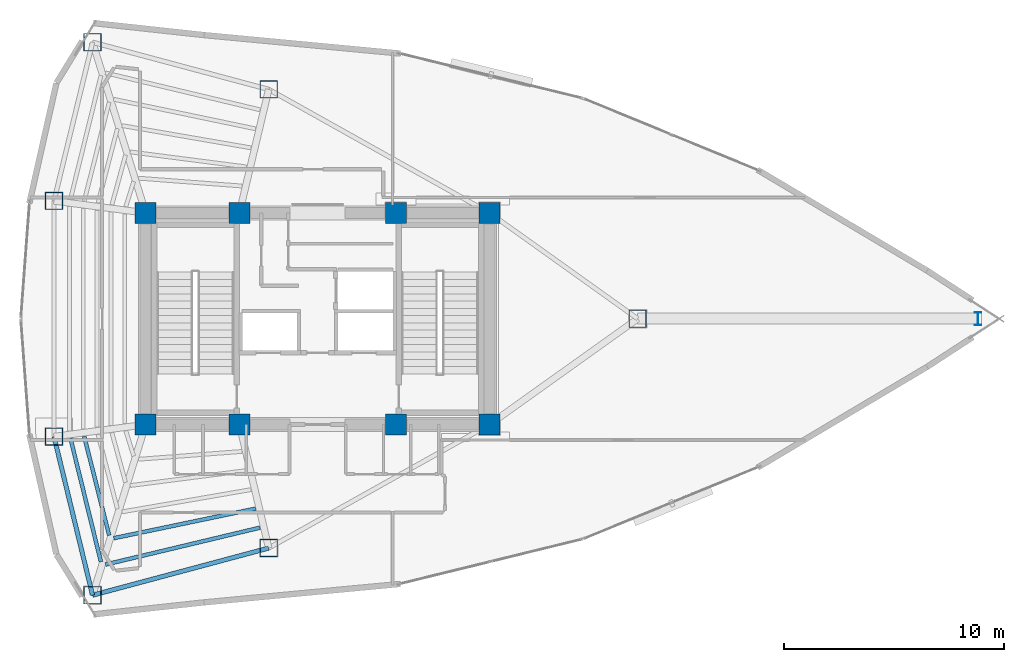
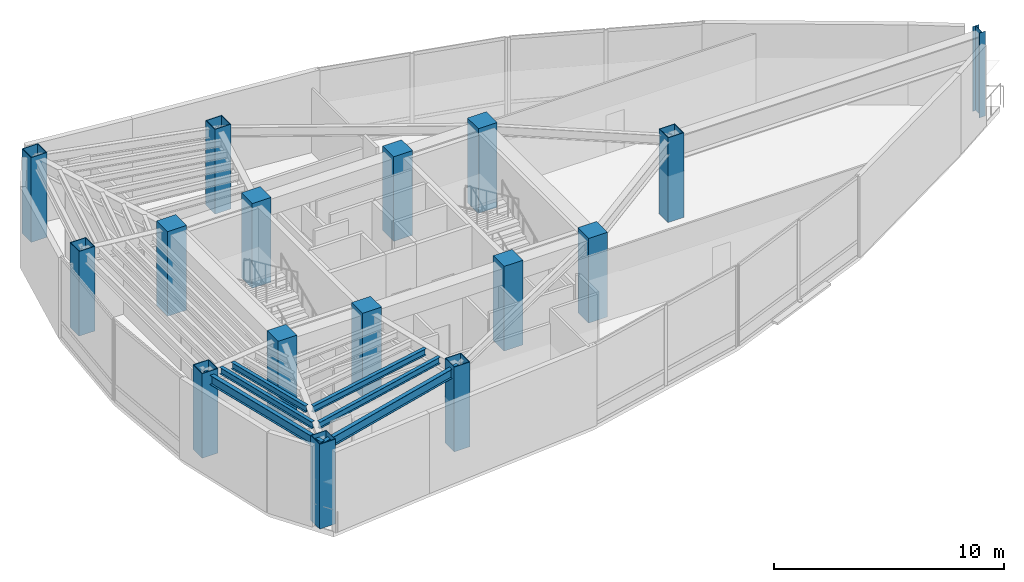
# One storey, part 1 of 17: 16 columns, 6 beams.
"""IFC4 building model written with IfcOpenShell, lengths in metres."""

from ifc_helpers import new_model, si_unit, direction, frame, origin, origin_2d, place, context, subcontext, project, spatial, rectangle, hollow_rectangle, i_section, extrude, material, material_profile, profile_set, type_object, element, save


model = new_model("IFC4")

# Units and contexts
model_context = context("Model", 3, precision=1e-05, world=origin(), true_north=direction((0.0, 1.0)))
body_context = subcontext(model_context, "Body", "Model", "MODEL_VIEW")
ifc_project = project(units=[si_unit("LENGTHUNIT", "METRE"), si_unit("AREAUNIT", "SQUARE_METRE"), si_unit("VOLUMEUNIT", "CUBIC_METRE"), si_unit("PLANEANGLEUNIT", "RADIAN"), si_unit("MASSUNIT", "GRAM", prefix="KILO")], contexts=[model_context])

# Site, building, storey
site_placement = place(None, origin())
site = spatial("IfcSite", under=ifc_project, at=site_placement, CompositionType="ELEMENT")
building_placement = place(site_placement, origin())
building = spatial("IfcBuilding", under=site, at=building_placement, Name="Menara Vayukalpa", CompositionType="ELEMENT")
storey_placement = place(building_placement, frame((0.0, 0.0, 242.639892578125)))
storey = spatial("IfcBuildingStorey", under=building, at=storey_placement, Name="L61", CompositionType="ELEMENT", Elevation=242.639892578125)

# Columns
ifc_material_1 = material(Name="Concrete C60/75", Category="concrete")
ifc_material_profile_1 = material_profile(ifc_material_1, rectangle(XDim=0.949951171875, YDim=0.949951171875, at=origin_2d()), Name="RC 950x950")
ifc_profile_set_1 = profile_set([ifc_material_profile_1], Name="Concrete C60/75")
column_type_1 = type_object("IfcColumnType", Name="COL-CC2", PredefinedType="COLUMN", material=ifc_profile_set_1)
for number, where, z_axis, x_axis, name in (
    (1, (17.800048828125, 17.199951171875, 0.0), (0.0, 0.0, 1.0), (1.0, 0.0, 0.0), "L61 Core Pilaster Column CC1"),
    (2, (22.050048828125, 17.199951171875, 0.0), (0.0, 0.0, 1.0), (1.0, 0.0, 0.0), "L61 Core Pilaster Column CC2"),
    (3, (29.14990234375, 17.199951171875, 0.0), (0.0, 0.0, 1.0), (1.0, 0.0, 0.0), "L61 Core Pilaster Column CC3"),
    (4, (33.39990234375, 17.199951171875, 0.0), (0.0, 0.0, 1.0), (1.0, 0.0, 0.0), "L61 Core Pilaster Column CC4"),
    (5, (17.800048828125, 26.800048828125, 0.0), (0.0, 0.0, 1.0), (1.0, 0.0, 0.0), "L61 Core Pilaster Column CC5"),
    (6, (22.050048828125, 26.800048828125, 0.0), (0.0, 0.0, 1.0), (1.0, 0.0, 0.0), "L61 Core Pilaster Column CC6"),
    (7, (29.14990234375, 26.800048828125, 0.0), (0.0, 0.0, 1.0), (1.0, 0.0, 0.0), "L61 Core Pilaster Column CC7"),
    (8, (33.39990234375, 26.800048828125, 0.0), (0.0, 0.0, 1.0), (1.0, 0.0, 0.0), "L61 Core Pilaster Column CC8"),
):
    element("IfcColumn", number, at=place(storey_placement, frame(where, z_axis=z_axis, x_axis=x_axis)), inside=storey, type_object=column_type_1, Name=name, PredefinedType="COLUMN", context=body_context, shape_type="SweptSolid", body=[
        extrude(rectangle(XDim=0.949951171875, YDim=0.949951171875, at=origin_2d()), origin(), (0.0, 0.0, 1.0), 4.5),
    ])
ifc_material_2 = material(Name="Steel S355", Category="steel")
ifc_material_profile_2 = material_profile(ifc_material_2, hollow_rectangle(XDim=0.800048828125, YDim=0.800048828125, WallThickness=0.034912109375, at=origin_2d()), Name="BOX 800x800x35")
ifc_profile_set_2 = profile_set([ifc_material_profile_2], Name="Steel S355")
column_type_2 = type_object("IfcColumnType", Name="COL-MC5", PredefinedType="COLUMN", material=ifc_profile_set_2)
for number, where, z_axis, x_axis, name in (
    (9, (40.121826171875, 22.0, 0.0), (0.0, 0.0, 1.0), (1.0, 0.0, 0.0), "L61 Perimeter Mega Column P01"),
    (10, (23.3818359375, 32.40478515625, 0.0), (0.0, 0.0, 1.0), (1.0, 0.0, 0.0), "L61 Perimeter Mega Column P03"),
    (11, (15.38916015625, 34.544677734375, 0.0), (0.0, 0.0, 1.0), (1.0, 0.0, 0.0), "L61 Perimeter Mega Column P04"),
    (12, (13.638916015625, 27.3466796875, 0.0), (0.0, 0.0, 1.0), (1.0, 0.0, 0.0), "L61 Perimeter Mega Column P05"),
    (13, (13.638916015625, 16.6533203125, 0.0), (0.0, 0.0, 1.0), (1.0, 0.0, 0.0), "L61 Perimeter Mega Column P06"),
    (14, (15.38916015625, 9.455322265625, 0.0), (0.0, 0.0, 1.0), (1.0, 0.0, 0.0), "L61 Perimeter Mega Column P07"),
    (15, (23.3818359375, 11.59521484375, 0.0), (0.0, 0.0, 1.0), (1.0, 0.0, 0.0), "L61 Perimeter Mega Column P08"),
):
    element("IfcColumn", number, at=place(storey_placement, frame(where, z_axis=z_axis, x_axis=x_axis)), inside=storey, type_object=column_type_2, Name=name, PredefinedType="COLUMN", context=body_context, shape_type="SweptSolid", body=[
        extrude(hollow_rectangle(XDim=0.800048828125, YDim=0.800048828125, WallThickness=0.034912109375, at=origin_2d()), origin(), (0.0, 0.0, 1.0), 4.5),
    ])
ifc_material_3 = material(Name="Steel S460", Category="steel")
ifc_material_profile_3 = material_profile(ifc_material_3, i_section(OverallWidth=0.300048828125, OverallDepth=0.587890625, WebThickness=0.011962890625, FlangeThickness=0.02001953125, at=origin_2d()), Name="H 588x300x12x20")
ifc_profile_set_3 = profile_set([ifc_material_profile_3], Name="Steel S460")
column_type_3 = type_object("IfcColumnType", Name="COL-SC1", PredefinedType="COLUMN", material=ifc_profile_set_3)
column_placement = place(storey_placement, frame((55.564697265625, 22.0, 0.0), z_axis=(0.0, 0.0, 1.0), x_axis=(1.0, 0.0, 0.0)))
element("IfcColumn", 16, at=column_placement, inside=storey, type_object=column_type_3, Name="L61 SB5 Sky Bar Vierendeel Column SB01", PredefinedType="COLUMN", context=body_context, shape_type="SweptSolid", body=[
    extrude(i_section(OverallWidth=0.300048828125, OverallDepth=0.587890625, WebThickness=0.011962890625, FlangeThickness=0.02001953125, at=origin_2d()), origin(), (0.0, 0.0, 1.0), 4.5),
])

# Beams
ifc_material_4 = material(Name="Steel S355", Category="steel")
ifc_material_profile_4 = material_profile(ifc_material_4, i_section(OverallWidth=0.175048828125, OverallDepth=0.35009765625, WebThickness=0.007080078125, FlangeThickness=0.010986328125, at=origin_2d()), Name="WF 350x175x7x11")
ifc_profile_set_4 = profile_set([ifc_material_profile_4], Name="Steel S355")
beam_type_1 = type_object("IfcBeamType", Name="BM-SJ3", PredefinedType="JOIST", material=ifc_profile_set_4)
beam_1_placement = place(storey_placement, frame((15.010986328125, 16.6630859375, 4.105224609375), z_axis=(0.244247063973, -0.969713035769, 0.0), x_axis=(0.969713035769, 0.244247063973, 0.0)))
element("IfcBeam", 17, at=beam_1_placement, inside=storey, type_object=beam_type_1, Name="L61 Secondary Floor Joist SJ06-4", PredefinedType="JOIST", context=body_context, shape_type="SweptSolid", body=[
    extrude(i_section(OverallWidth=0.175048828125, OverallDepth=0.35009765625, WebThickness=0.007080078125, FlangeThickness=0.010986328125, at=origin_2d()), origin(), (0.0, 0.0, 1.0), 4.630859375),
])
beam_2_placement = place(storey_placement, frame((14.384033203125, 16.580810546875, 4.105224609375), z_axis=(0.239671161383, -0.970854126222, 0.0), x_axis=(0.970854126222, 0.239671161383, 0.0)))
element("IfcBeam", 18, at=beam_2_placement, inside=storey, type_object=beam_type_1, Name="L61 Secondary Floor Joist SJ06-5", PredefinedType="JOIST", context=body_context, shape_type="SweptSolid", body=[
    extrude(i_section(OverallWidth=0.175048828125, OverallDepth=0.35009765625, WebThickness=0.007080078125, FlangeThickness=0.010986328125, at=origin_2d()), origin(), (0.0, 0.0, 1.0), 5.77783203125),
])
beam_3_placement = place(storey_placement, frame((16.35009765625, 12.0419921875, 4.105224609375), z_axis=(0.978941451827, 0.204141210671, 0.0), x_axis=(-0.204141210671, 0.978941451827, 0.0)))
element("IfcBeam", 19, at=beam_3_placement, inside=storey, type_object=beam_type_1, Name="L61 Secondary Floor Joist SJ07-4", PredefinedType="JOIST", context=body_context, shape_type="SweptSolid", body=[
    extrude(i_section(OverallWidth=0.175048828125, OverallDepth=0.35009765625, WebThickness=0.007080078125, FlangeThickness=0.010986328125, at=origin_2d()), origin(), (0.0, 0.0, 1.0), 6.570556640625),
])
beam_4_placement = place(storey_placement, frame((15.97509765625, 10.845947265625, 4.105224609375), z_axis=(0.972642465748, 0.232307197097, 0.0), x_axis=(-0.232307197097, 0.972642465748, 0.0)))
element("IfcBeam", 20, at=beam_4_placement, inside=storey, type_object=beam_type_1, Name="L61 Secondary Floor Joist SJ07-5", PredefinedType="JOIST", context=body_context, shape_type="SweptSolid", body=[
    extrude(i_section(OverallWidth=0.175048828125, OverallDepth=0.35009765625, WebThickness=0.007080078125, FlangeThickness=0.010986328125, at=origin_2d()), origin(), (0.0, 0.0, 1.0), 7.20947265625),
])
ifc_material_5 = material(Name="Steel S355", Category="steel")
ifc_material_profile_5 = material_profile(ifc_material_5, i_section(OverallWidth=0.199951171875, OverallDepth=0.5, WebThickness=0.010009765625, FlangeThickness=0.01611328125, at=origin_2d()), Name="WF 500x200x10x16")
ifc_profile_set_5 = profile_set([ifc_material_profile_5], Name="Steel S355")
beam_type_2 = type_object("IfcBeamType", Name="BM-SP3", PredefinedType="SPANDREL", material=ifc_profile_set_5)
beam_5_placement = place(storey_placement, frame((13.638916015625, 16.6533203125, 4.030029296875), z_axis=(0.236272525754, -0.97168682896, 0.0), x_axis=(0.97168682896, 0.236272525754, 0.0)))
element("IfcBeam", 21, at=beam_5_placement, inside=storey, type_object=beam_type_2, Name="L61 Perimeter Spandrel Beam SP06", PredefinedType="SPANDREL", context=body_context, shape_type="SweptSolid", body=[
    extrude(i_section(OverallWidth=0.199951171875, OverallDepth=0.5, WebThickness=0.010009765625, FlangeThickness=0.01611328125, at=origin_2d()), origin(), (0.0, 0.0, 1.0), 7.40771484375),
])
beam_6_placement = place(storey_placement, frame((15.38916015625, 9.455322265625, 4.030029296875), z_axis=(0.965978332552, 0.258623009494, 0.0), x_axis=(-0.258623009494, 0.965978332552, 0.0)))
element("IfcBeam", 22, at=beam_6_placement, inside=storey, type_object=beam_type_2, Name="L61 Perimeter Spandrel Beam SP07", PredefinedType="SPANDREL", context=body_context, shape_type="SweptSolid", body=[
    extrude(i_section(OverallWidth=0.199951171875, OverallDepth=0.5, WebThickness=0.010009765625, FlangeThickness=0.01611328125, at=origin_2d()), origin(), (0.0, 0.0, 1.0), 8.274169921875),
])

save(model, "model.ifc")
